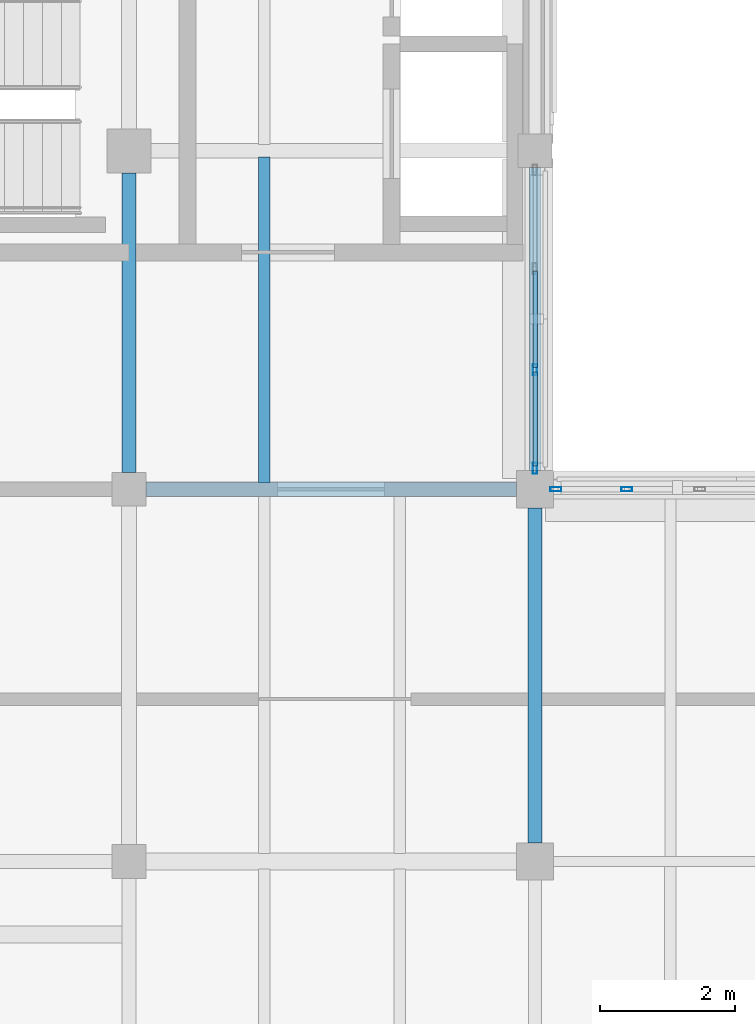
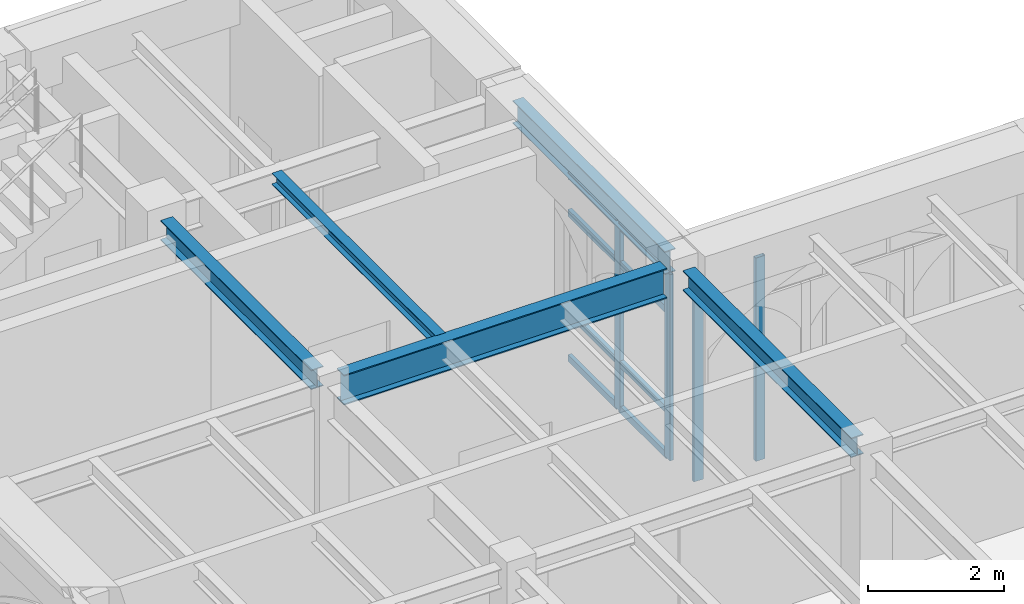
# One storey, part 24 of 143: 12 members, 5 beams, 2 elements without a shape of their own.
"""IFC4 building model written with IfcOpenShell, lengths in metres."""

from ifc_helpers import new_model, si_unit, direction, frame, origin, origin_2d, place, context, subcontext, project, spatial, hollow_rectangle, i_section, extrude, material, layer, layer_set, material_profile, profile_set, type_object, element, aggregate, save


model = new_model("IFC4")

# Units and contexts
model_context = context("Model", 3, precision=1e-05, world=origin(), true_north=direction((0.0, 1.0)))
body_context = subcontext(model_context, "Body", "Model", "MODEL_VIEW")
ifc_project = project(units=[si_unit("LENGTHUNIT", "METRE"), si_unit("AREAUNIT", "SQUARE_METRE"), si_unit("VOLUMEUNIT", "CUBIC_METRE"), si_unit("PLANEANGLEUNIT", "RADIAN"), si_unit("MASSUNIT", "GRAM", prefix="KILO")], contexts=[model_context])

# Site, building, storey
site_placement = place(None, origin())
site = spatial("IfcSite", under=ifc_project, at=site_placement, CompositionType="ELEMENT")
building_placement = place(site_placement, origin())
building = spatial("IfcBuilding", under=site, at=building_placement, Name="Cumevento Cable Car Station", CompositionType="ELEMENT")
storey_placement = place(building_placement, frame((0.0, 0.0, 9.0)))
storey = spatial("IfcBuildingStorey", under=building, at=storey_placement, Name="L03", CompositionType="ELEMENT", Elevation=9.0)

# Curtain wall, members
ifc_material_1 = material(Name="Anodised Bronze Aluminium AW-6063-T6", Category="aluminium")
ifc_layer_1 = layer(ifc_material_1, 0.166015625)
ifc_layer_set_1 = layer_set([ifc_layer_1], Name="Anodised Bronze Aluminium AW-6063-T6")
curtain_wall_type_1 = type_object("IfcCurtainWallType", Name="Lancet Curtain Wall CW-02 1090", PredefinedType="NOTDEFINED", material=ifc_layer_set_1)
curtain_wall_1_placement = place(storey_placement, origin())
curtain_wall_1 = element("IfcCurtainWall", 1, at=curtain_wall_1_placement, inside=storey, type_object=curtain_wall_type_1, Name="Lancet Curtain Wall CW-02 L03 #97", PredefinedType="NOTDEFINED")
ifc_material_2 = material(Name="Anodised Bronze Aluminium AW-6063-T6", Category="aluminium")
ifc_material_profile_1 = material_profile(ifc_material_2, hollow_rectangle(XDim=0.06494140625, YDim=0.159912109375, WallThickness=0.00390625, at=origin_2d()), Name="ALUM65x160x4")
ifc_profile_set_1 = profile_set([ifc_material_profile_1], Name="Anodised Bronze Aluminium AW-6063-T6")
member_type_1 = type_object("IfcMemberType", Name="Curtain Mullion CWM-01 ALUM65x160x4", PredefinedType="MULLION", material=ifc_profile_set_1)
member_1_placement = place(storey_placement, frame((34.3076171875, 56.5, 0.2099609375), z_axis=(0.0, 0.0, 1.0), x_axis=(0.0, 1.0, 0.0)))
member_1 = element("IfcMember", 2, at=member_1_placement, type_object=member_type_1, Name="CW-02 mullion 1", PredefinedType="MULLION", context=body_context, shape_type="SweptSolid", body=[
    extrude(hollow_rectangle(XDim=0.06494140625, YDim=0.159912109375, WallThickness=0.00390625, at=origin_2d()), origin(), (0.0, 0.0, 1.0), 3.64697265625),
])
member_2_placement = place(storey_placement, frame((35.35498046875, 56.5, 0.2099609375), z_axis=(0.0, 0.0, 1.0), x_axis=(0.0, 1.0, 0.0)))
member_2 = element("IfcMember", 3, at=member_2_placement, type_object=member_type_1, Name="CW-02 mullion 2", PredefinedType="MULLION", context=body_context, shape_type="SweptSolid", body=[
    extrude(hollow_rectangle(XDim=0.06494140625, YDim=0.159912109375, WallThickness=0.00390625, at=origin_2d()), origin(), (0.0, 0.0, 1.0), 3.64697265625),
])
aggregate(curtain_wall_1, [member_1, member_2])

ifc_material_3 = material(Name="Anodised Bronze Aluminium AW-6063-T6", Category="aluminium")
ifc_layer_2 = layer(ifc_material_3, 0.201904296875)
ifc_layer_set_2 = layer_set([ifc_layer_2], Name="Anodised Bronze Aluminium AW-6063-T6")
curtain_wall_type_2 = type_object("IfcCurtainWallType", Name="Lancet Curtain Wall CW-08 1330", PredefinedType="NOTDEFINED", material=ifc_layer_set_2)
curtain_wall_2_placement = place(storey_placement, origin())
curtain_wall_2 = element("IfcCurtainWall", 4, at=curtain_wall_2_placement, inside=storey, type_object=curtain_wall_type_2, Name="Lancet Curtain Wall CW-08 L03 #103", PredefinedType="NOTDEFINED")
member_3_placement = place(storey_placement, frame((34.0, 58.2666015625, 0.52001953125), z_axis=(0.0, 0.0, 1.0), x_axis=(1.0, 0.0, 0.0)))
member_3 = element("IfcMember", 5, at=member_3_placement, type_object=member_type_1, Name="CW-08 mullion 3", PredefinedType="MULLION", context=body_context, shape_type="SweptSolid", body=[
    extrude(hollow_rectangle(XDim=0.06494140625, YDim=0.159912109375, WallThickness=0.00390625, at=origin_2d()), origin(), (0.0, 0.0, 1.0), 3.3369140625),
])
member_4_placement = place(storey_placement, frame((34.0, 56.8076171875, 0.52001953125), z_axis=(0.0, 0.0, 1.0), x_axis=(1.0, 0.0, 0.0)))
member_4 = element("IfcMember", 6, at=member_4_placement, type_object=member_type_1, Name="CW-08 mullion 4", PredefinedType="MULLION", context=body_context, shape_type="SweptSolid", body=[
    extrude(hollow_rectangle(XDim=0.06494140625, YDim=0.159912109375, WallThickness=0.00390625, at=origin_2d()), origin(), (0.0, 0.0, 1.0), 3.3369140625),
])
ifc_material_4 = material(Name="Anodised Bronze Aluminium AW-6063-T6", Category="aluminium")
ifc_material_profile_2 = material_profile(ifc_material_4, hollow_rectangle(XDim=0.06494140625, YDim=0.1201171875, WallThickness=0.00390625, at=origin_2d()), Name="ALUT65x120x4")
ifc_profile_set_2 = profile_set([ifc_material_profile_2], Name="Anodised Bronze Aluminium AW-6063-T6")
member_type_2 = type_object("IfcMemberType", Name="Curtain Transom CWT-01 ALUT65x120x4", PredefinedType="USERDEFINED", material=ifc_profile_set_2)
member_5_placement = place(storey_placement, frame((34.0, 59.725830078125, 0.552490234375), z_axis=(0.0, -1.0, 0.0), x_axis=(1.0, 0.0, 0.0)))
member_5 = element("IfcMember", 7, at=member_5_placement, type_object=member_type_2, Name="CW-08 transom 2.1", ObjectType="TRANSOM", PredefinedType="USERDEFINED", context=body_context, shape_type="SweptSolid", body=[
    extrude(hollow_rectangle(XDim=0.06494140625, YDim=0.1201171875, WallThickness=0.00390625, at=origin_2d()), origin(), (0.0, 0.0, 1.0), 1.4267578125),
])
member_6_placement = place(storey_placement, frame((34.0, 59.725830078125, 1.3701171875), z_axis=(0.0, -1.0, 0.0), x_axis=(1.0, 0.0, 0.0)))
member_6 = element("IfcMember", 8, at=member_6_placement, type_object=member_type_2, Name="CW-08 transom 2.2", ObjectType="TRANSOM", PredefinedType="USERDEFINED", context=body_context, shape_type="SweptSolid", body=[
    extrude(hollow_rectangle(XDim=0.06494140625, YDim=0.1201171875, WallThickness=0.00390625, at=origin_2d()), origin(), (0.0, 0.0, 1.0), 1.4267578125),
])
member_7_placement = place(storey_placement, frame((34.0, 59.725830078125, 3.156982421875), z_axis=(0.0, -1.0, 0.0), x_axis=(1.0, 0.0, 0.0)))
member_7 = element("IfcMember", 9, at=member_7_placement, type_object=member_type_2, Name="CW-08 transom 2.3", ObjectType="TRANSOM", PredefinedType="USERDEFINED", context=body_context, shape_type="SweptSolid", body=[
    extrude(hollow_rectangle(XDim=0.06494140625, YDim=0.1201171875, WallThickness=0.00390625, at=origin_2d()), origin(), (0.0, 0.0, 1.0), 1.4267578125),
])
member_8_placement = place(storey_placement, frame((34.0, 59.725830078125, 3.824462890625), z_axis=(0.0, -1.0, 0.0), x_axis=(1.0, 0.0, 0.0)))
member_8 = element("IfcMember", 10, at=member_8_placement, type_object=member_type_2, Name="CW-08 transom 2.4", ObjectType="TRANSOM", PredefinedType="USERDEFINED", context=body_context, shape_type="SweptSolid", body=[
    extrude(hollow_rectangle(XDim=0.06494140625, YDim=0.1201171875, WallThickness=0.00390625, at=origin_2d()), origin(), (0.0, 0.0, 1.0), 1.4267578125),
])
member_9_placement = place(storey_placement, frame((34.0, 58.234130859375, 0.552490234375), z_axis=(0.0, -1.0, 0.0), x_axis=(1.0, 0.0, 0.0)))
member_9 = element("IfcMember", 11, at=member_9_placement, type_object=member_type_2, Name="CW-08 transom 3.1", ObjectType="TRANSOM", PredefinedType="USERDEFINED", context=body_context, shape_type="SweptSolid", body=[
    extrude(hollow_rectangle(XDim=0.06494140625, YDim=0.1201171875, WallThickness=0.00390625, at=origin_2d()), origin(), (0.0, 0.0, 1.0), 1.39404296875),
])
member_10_placement = place(storey_placement, frame((34.0, 58.234130859375, 1.3701171875), z_axis=(0.0, -1.0, 0.0), x_axis=(1.0, 0.0, 0.0)))
member_10 = element("IfcMember", 12, at=member_10_placement, type_object=member_type_2, Name="CW-08 transom 3.2", ObjectType="TRANSOM", PredefinedType="USERDEFINED", context=body_context, shape_type="SweptSolid", body=[
    extrude(hollow_rectangle(XDim=0.06494140625, YDim=0.1201171875, WallThickness=0.00390625, at=origin_2d()), origin(), (0.0, 0.0, 1.0), 1.39404296875),
])
member_11_placement = place(storey_placement, frame((34.0, 58.234130859375, 3.156982421875), z_axis=(0.0, -1.0, 0.0), x_axis=(1.0, 0.0, 0.0)))
member_11 = element("IfcMember", 13, at=member_11_placement, type_object=member_type_2, Name="CW-08 transom 3.3", ObjectType="TRANSOM", PredefinedType="USERDEFINED", context=body_context, shape_type="SweptSolid", body=[
    extrude(hollow_rectangle(XDim=0.06494140625, YDim=0.1201171875, WallThickness=0.00390625, at=origin_2d()), origin(), (0.0, 0.0, 1.0), 1.39404296875),
])
member_12_placement = place(storey_placement, frame((34.0, 58.234130859375, 3.824462890625), z_axis=(0.0, -1.0, 0.0), x_axis=(1.0, 0.0, 0.0)))
member_12 = element("IfcMember", 14, at=member_12_placement, type_object=member_type_2, Name="CW-08 transom 3.4", ObjectType="TRANSOM", PredefinedType="USERDEFINED", context=body_context, shape_type="SweptSolid", body=[
    extrude(hollow_rectangle(XDim=0.06494140625, YDim=0.1201171875, WallThickness=0.00390625, at=origin_2d()), origin(), (0.0, 0.0, 1.0), 1.39404296875),
])
aggregate(curtain_wall_2, [member_3, member_4, member_5, member_6, member_7, member_8, member_9, member_10, member_11, member_12])

# Beams
ifc_material_5 = material(Name="Steel ASTM A572 Grade 50", Category="steel")
ifc_material_profile_3 = material_profile(ifc_material_5, i_section(OverallWidth=0.205078125, OverallDepth=0.35400390625, WebThickness=0.009521484375, FlangeThickness=0.016845703125, at=origin_2d()), Name="W360x79.0")
ifc_profile_set_3 = profile_set([ifc_material_profile_3], Name="Steel ASTM A572 Grade 50")
beam_type_1 = type_object("IfcBeamType", Name="Structural Beam BM-05 W360x79.0", PredefinedType="BEAM", material=ifc_profile_set_3)
beam_1_placement = place(storey_placement, frame((34.0, 51.27490234375, 4.0869140625), z_axis=(0.0, 1.0, 0.0), x_axis=(-1.0, 0.0, 0.0)))
element("IfcBeam", 15, at=beam_1_placement, inside=storey, type_object=beam_type_1, Name="Beam BM-05 L03 #1041", PredefinedType="BEAM", context=body_context, shape_type="SweptSolid", body=[
    extrude(i_section(OverallWidth=0.205078125, OverallDepth=0.35400390625, WebThickness=0.009521484375, FlangeThickness=0.016845703125, at=origin_2d()), origin(), (0.0, 0.0, 1.0), 4.9501953125),
])
beam_2_placement = place(storey_placement, frame((28.0, 56.75, 4.0869140625), z_axis=(0.0, 1.0, 0.0), x_axis=(-1.0, 0.0, 0.0)))
element("IfcBeam", 16, at=beam_2_placement, inside=storey, type_object=beam_type_1, Name="Beam BM-05 L03 #1053", PredefinedType="BEAM", context=body_context, shape_type="SweptSolid", body=[
    extrude(i_section(OverallWidth=0.205078125, OverallDepth=0.35400390625, WebThickness=0.009521484375, FlangeThickness=0.016845703125, at=origin_2d()), origin(), (0.0, 0.0, 1.0), 4.425048828125),
])
ifc_material_6 = material(Name="Steel ASTM A572 Grade 50", Category="steel")
ifc_material_profile_4 = material_profile(ifc_material_6, i_section(OverallWidth=0.2109375, OverallDepth=0.5390625, WebThickness=0.01171875, FlangeThickness=0.018798828125, at=origin_2d()), Name="W530x109.0")
ifc_profile_set_4 = profile_set([ifc_material_profile_4], Name="Steel ASTM A572 Grade 50")
beam_type_2 = type_object("IfcBeamType", Name="Structural Beam BM-11 W530x109.0", PredefinedType="BEAM", material=ifc_profile_set_4)
beam_3_placement = place(storey_placement, frame((28.25, 56.5, 3.994384765625), z_axis=(1.0, 0.0, 0.0), x_axis=(0.0, 1.0, 0.0)))
element("IfcBeam", 17, at=beam_3_placement, inside=storey, type_object=beam_type_2, Name="Beam BM-11 L03 #1032", PredefinedType="BEAM", context=body_context, shape_type="SweptSolid", body=[
    extrude(i_section(OverallWidth=0.2109375, OverallDepth=0.5390625, WebThickness=0.01171875, FlangeThickness=0.018798828125, at=origin_2d()), origin(), (0.0, 0.0, 1.0), 5.47509765625),
])
ifc_material_7 = material(Name="Steel ASTM A572 Grade 50", Category="steel")
ifc_material_profile_5 = material_profile(ifc_material_7, i_section(OverallWidth=0.1650390625, OverallDepth=0.200927734375, WebThickness=0.006103515625, FlangeThickness=0.01025390625, at=origin_2d()), Name="W200x35.9")
ifc_profile_set_5 = profile_set([ifc_material_profile_5], Name="Steel ASTM A572 Grade 50")
beam_type_3 = type_object("IfcBeamType", Name="Structural Joist JS-04 W200x35.9", PredefinedType="JOIST", material=ifc_profile_set_5)
beam_4_placement = place(storey_placement, frame((30.0, 56.593505859375, 4.16357421875), z_axis=(0.0, 1.0, 0.0), x_axis=(-1.0, 0.0, 0.0)))
element("IfcBeam", 18, at=beam_4_placement, inside=storey, type_object=beam_type_3, Name="Composite Floor Joist JS-04 L03 #1238", PredefinedType="JOIST", context=body_context, shape_type="SweptSolid", body=[
    extrude(i_section(OverallWidth=0.1650390625, OverallDepth=0.200927734375, WebThickness=0.006103515625, FlangeThickness=0.01025390625, at=origin_2d()), origin(), (0.0, 0.0, 1.0), 4.81298828125),
])
ifc_material_8 = material(Name="Steel ASTM A572 Grade 50", Category="steel")
ifc_material_profile_6 = material_profile(ifc_material_8, i_section(OverallWidth=0.177978515625, OverallDepth=0.406982421875, WebThickness=0.0078125, FlangeThickness=0.0126953125, at=origin_2d()), Name="W410x60.0")
ifc_profile_set_6 = profile_set([ifc_material_profile_6], Name="Steel ASTM A572 Grade 50")
beam_type_4 = type_object("IfcBeamType", Name="Structural Spandrel SP-01 W410x60.0", PredefinedType="SPANDREL", material=ifc_profile_set_6)
beam_5_placement = place(storey_placement, frame((34.0, 56.77490234375, 4.060546875), z_axis=(0.0, 1.0, 0.0), x_axis=(-1.0, 0.0, 0.0)))
element("IfcBeam", 19, at=beam_5_placement, inside=storey, type_object=beam_type_4, Name="Beam SP-01 L03 #1055", PredefinedType="SPANDREL", context=body_context, shape_type="SweptSolid", body=[
    extrude(i_section(OverallWidth=0.177978515625, OverallDepth=0.406982421875, WebThickness=0.0078125, FlangeThickness=0.0126953125, at=origin_2d()), origin(), (0.0, 0.0, 1.0), 4.47509765625),
])

save(model, "model.ifc")
